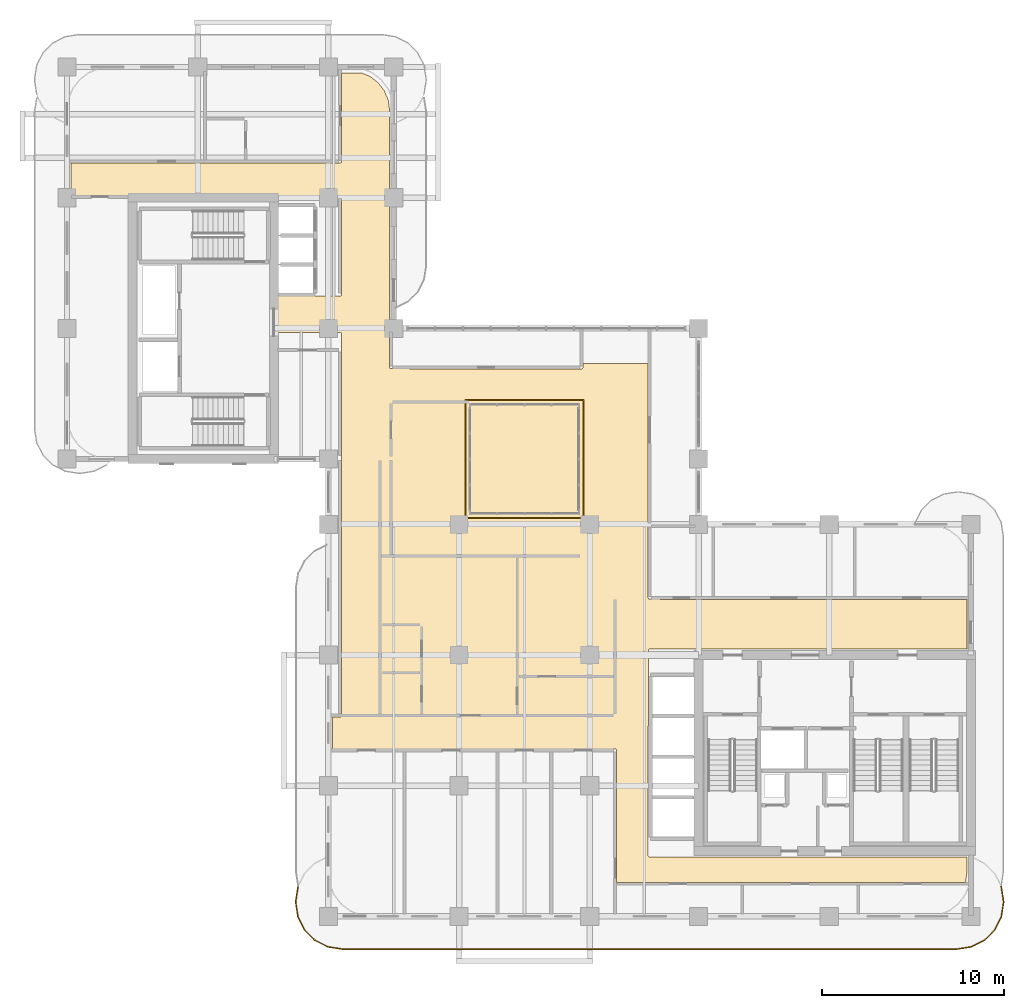
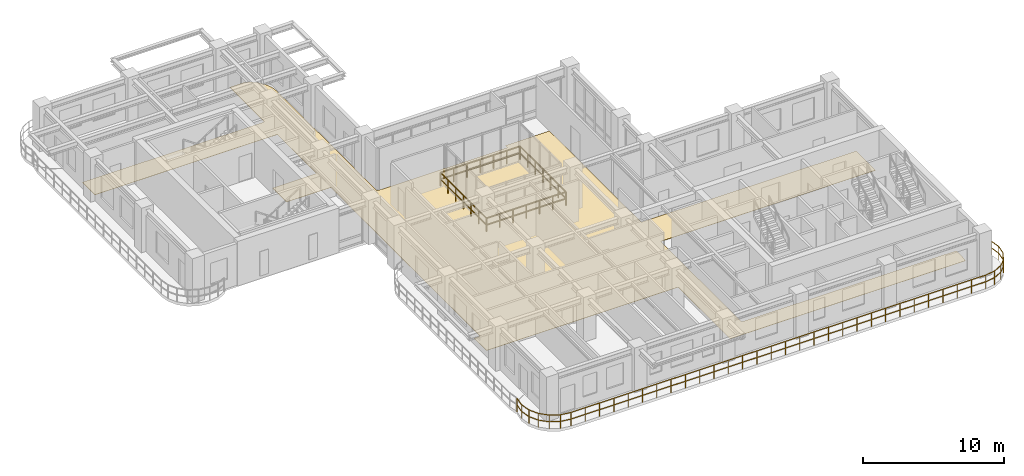
# One storey, part 18 of 21: 2 railings, 1 covering.
"""IFC4 building model written with IfcOpenShell, lengths in metres."""

from ifc_helpers import new_model, si_unit, derived_unit, direction, frame, origin, origin_2d, place, context, subcontext, project, spatial, polyline, rectangle, outline, extrude, material, layer, layer_set, type_object, element, save


model = new_model("IFC4")

# Units and contexts
model_context = context("Model", 3, precision=1e-05, world=origin(), true_north=direction((0.0, 1.0)))
body_context = subcontext(model_context, "Body", "Model", "MODEL_VIEW")
ifc_project = project(units=[si_unit("LENGTHUNIT", "METRE"), si_unit("AREAUNIT", "SQUARE_METRE"), si_unit("VOLUMEUNIT", "CUBIC_METRE"), si_unit("PLANEANGLEUNIT", "RADIAN"), si_unit("MASSUNIT", "GRAM", prefix="KILO"), si_unit("THERMODYNAMICTEMPERATUREUNIT", "KELVIN"), si_unit("POWERUNIT", "WATT"), derived_unit("THERMALTRANSMITTANCEUNIT", [(si_unit("POWERUNIT", "WATT"), 1), (si_unit("AREAUNIT", "SQUARE_METRE"), -1), (si_unit("THERMODYNAMICTEMPERATUREUNIT", "KELVIN"), -1)])], contexts=[model_context])

# Site, building, storey
site_placement = place(None, origin())
site = spatial("IfcSite", under=ifc_project, at=site_placement, CompositionType="ELEMENT")
building_placement = place(site_placement, origin())
building = spatial("IfcBuilding", under=site, at=building_placement, Name="Zahravan Archway Hotel and Residences", CompositionType="ELEMENT")
storey_placement = place(building_placement, frame((0.0, 0.0, 165.699951171875)))
storey = spatial("IfcBuildingStorey", under=building, at=storey_placement, Name="L41", CompositionType="ELEMENT", Elevation=165.699951171875)

# Covering
ifc_material_1 = material(Name="Engineered Walnut Parquet Flooring")
ifc_layer = layer(ifc_material_1, 0.02197265625, Name="Engineered Walnut Parquet Flooring")
ifc_layer_set = layer_set([ifc_layer], Name="Engineered Walnut Parquet Flooring")
covering_type = type_object("IfcCoveringType", Name="COV-FLR-TIMB", PredefinedType="FLOORING", material=ifc_layer_set)
covering_placement = place(storey_placement, origin())
element("IfcCovering", 1, at=covering_placement, inside=storey, type_object=covering_type, Name="L41 Circulation Floor Finish", PredefinedType="FLOORING", context=body_context, shape_type="SweptSolid", body=[
    extrude(outline(polyline([(32.021484375, 3.33447265625), (32.04345703125, 3.29345703125), (32.08447265625, 3.271484375), (49.580078125, 3.27001953125), (49.580078125, 2.414306640625), (49.509521484375, 1.8798828125), (30.280029296875, 1.8798828125), (30.280029296875, 9.14990234375), (30.2666015625, 9.1943359375), (30.230712890625, 9.223876953125), (14.6201171875, 9.22998046875), (14.6201171875, 10.989990234375), (15.050048828125, 10.989990234375), (15.094482421875, 11.00341796875), (15.123779296875, 11.039306640625), (15.1298828125, 32.10009765625), (15.116455078125, 32.144287109375), (15.08056640625, 32.173828125), (11.530029296875, 32.179931640625), (11.530029296875, 34.169921875), (15.050048828125, 34.169921875), (15.094482421875, 34.18359375), (15.123779296875, 34.219482421875), (15.1298828125, 39.64990234375), (15.116455078125, 39.6943359375), (15.08056640625, 39.723876953125), (0.22998046875, 39.72998046875), (0.22998046875, 41.52001953125), (15.050048828125, 41.52001953125), (15.094482421875, 41.533447265625), (15.123779296875, 41.5693359375), (15.1298828125, 46.469970703125), (16.24560546875, 46.469970703125), (16.689208984375, 46.286376953125), (17.14013671875, 45.940185546875), (17.486328125, 45.489013671875), (17.703857421875, 44.9638671875), (17.77001953125, 44.46142578125), (17.77001953125, 30.25), (17.783447265625, 30.20556640625), (17.8193359375, 30.176025390625), (28.35009765625, 30.169921875), (28.394287109375, 30.18359375), (28.423828125, 30.219482421875), (28.429931640625, 30.469970703125), (32.02001953125, 30.469970703125), (32.02001953125, 17.550048828125), (32.033447265625, 17.505615234375), (32.0693359375, 17.47607421875), (49.580078125, 17.469970703125), (49.580078125, 14.72998046875), (32.10009765625, 14.72998046875), (32.0556640625, 14.716552734375), (32.026123046875, 14.6806640625), (32.02001953125, 3.35009765625), (32.021484375, 3.33447265625)])), origin(), (0.0, 0.0, 1.0), 0.02197265625),
])

# Railings
ifc_material_2 = material(Name="Atrium Laminated Glass Guardrail", Category="glass")
railing_type_1 = type_object("IfcRailingType", Name="RL-ATR-1200", PredefinedType="BALUSTRADE", material=ifc_material_2)
railing_1_placement = place(storey_placement, frame((21.949951171875, 21.949951171875, 0.0)))
element("IfcRailing", 2, at=railing_1_placement, inside=storey, type_object=railing_type_1, Name="L41 Balustrade RL-ATR-L41", PredefinedType="BALUSTRADE", context=body_context, shape_type="SweptSolid", body=[
    extrude(rectangle(XDim=0.048095703125, YDim=0.048095703125, at=origin_2d()), frame((0.0, 0.0, 1.17578125), z_axis=(1.0, 0.0, 0.0), x_axis=(0.0, 1.0, 0.0)), (0.0, 0.0, 1.0), 6.5),
    extrude(rectangle(XDim=0.048095703125, YDim=0.048095703125, at=origin_2d()), frame((0.0, 0.0, 0.60009765625), z_axis=(1.0, 0.0, 0.0), x_axis=(0.0, 1.0, 0.0)), (0.0, 0.0, 1.0), 6.5),
    extrude(rectangle(XDim=0.048095703125, YDim=0.048095703125, at=origin_2d()), frame((6.5, 0.0, 1.17578125), z_axis=(0.0, 1.0, 0.0), x_axis=(-1.0, 0.0, 0.0)), (0.0, 0.0, 1.0), 6.5),
    extrude(rectangle(XDim=0.048095703125, YDim=0.048095703125, at=origin_2d()), frame((6.5, 0.0, 0.60009765625), z_axis=(0.0, 1.0, 0.0), x_axis=(-1.0, 0.0, 0.0)), (0.0, 0.0, 1.0), 6.5),
    extrude(rectangle(XDim=0.048095703125, YDim=0.048095703125, at=origin_2d()), frame((6.5, 6.5, 1.17578125), z_axis=(-1.0, 0.0, 0.0), x_axis=(0.0, -1.0, 0.0)), (0.0, 0.0, 1.0), 6.5),
    extrude(rectangle(XDim=0.048095703125, YDim=0.048095703125, at=origin_2d()), frame((6.5, 6.5, 0.60009765625), z_axis=(-1.0, 0.0, 0.0), x_axis=(0.0, -1.0, 0.0)), (0.0, 0.0, 1.0), 6.5),
    extrude(rectangle(XDim=0.048095703125, YDim=0.048095703125, at=origin_2d()), frame((0.0, 6.5, 1.17578125), z_axis=(0.0, -1.0, 0.0), x_axis=(1.0, 0.0, 0.0)), (0.0, 0.0, 1.0), 6.5),
    extrude(rectangle(XDim=0.048095703125, YDim=0.048095703125, at=origin_2d()), frame((0.0, 6.5, 0.60009765625), z_axis=(0.0, -1.0, 0.0), x_axis=(1.0, 0.0, 0.0)), (0.0, 0.0, 1.0), 6.5),
    extrude(rectangle(XDim=0.0419921875, YDim=0.0419921875, at=origin_2d()), origin(), (0.0, 0.0, 1.0), 1.15185546875),
    extrude(rectangle(XDim=0.0419921875, YDim=0.0419921875, at=origin_2d()), frame((1.083251953125, 0.0, 0.0)), (0.0, 0.0, 1.0), 1.15185546875),
    extrude(rectangle(XDim=0.0419921875, YDim=0.0419921875, at=origin_2d()), frame((2.166748046875, 0.0, 0.0)), (0.0, 0.0, 1.0), 1.15185546875),
    extrude(rectangle(XDim=0.0419921875, YDim=0.0419921875, at=origin_2d()), frame((3.25, 0.0, 0.0)), (0.0, 0.0, 1.0), 1.15185546875),
    extrude(rectangle(XDim=0.0419921875, YDim=0.0419921875, at=origin_2d()), frame((4.333251953125, 0.0, 0.0)), (0.0, 0.0, 1.0), 1.15185546875),
    extrude(rectangle(XDim=0.0419921875, YDim=0.0419921875, at=origin_2d()), frame((5.416748046875, 0.0, 0.0)), (0.0, 0.0, 1.0), 1.15185546875),
    extrude(rectangle(XDim=0.0419921875, YDim=0.0419921875, at=origin_2d()), frame((6.5, 0.0, 0.0)), (0.0, 0.0, 1.0), 1.15185546875),
    extrude(rectangle(XDim=0.0419921875, YDim=0.0419921875, at=origin_2d()), frame((6.5, 1.083251953125, 0.0)), (0.0, 0.0, 1.0), 1.15185546875),
    extrude(rectangle(XDim=0.0419921875, YDim=0.0419921875, at=origin_2d()), frame((6.5, 2.166748046875, 0.0)), (0.0, 0.0, 1.0), 1.15185546875),
    extrude(rectangle(XDim=0.0419921875, YDim=0.0419921875, at=origin_2d()), frame((6.5, 3.25, 0.0)), (0.0, 0.0, 1.0), 1.15185546875),
    extrude(rectangle(XDim=0.0419921875, YDim=0.0419921875, at=origin_2d()), frame((6.5, 4.333251953125, 0.0)), (0.0, 0.0, 1.0), 1.15185546875),
    extrude(rectangle(XDim=0.0419921875, YDim=0.0419921875, at=origin_2d()), frame((6.5, 5.416748046875, 0.0)), (0.0, 0.0, 1.0), 1.15185546875),
    extrude(rectangle(XDim=0.0419921875, YDim=0.0419921875, at=origin_2d()), frame((6.5, 6.5, 0.0)), (0.0, 0.0, 1.0), 1.15185546875),
    extrude(rectangle(XDim=0.0419921875, YDim=0.0419921875, at=origin_2d()), frame((5.416748046875, 6.5, 0.0)), (0.0, 0.0, 1.0), 1.15185546875),
    extrude(rectangle(XDim=0.0419921875, YDim=0.0419921875, at=origin_2d()), frame((4.333251953125, 6.5, 0.0)), (0.0, 0.0, 1.0), 1.15185546875),
    extrude(rectangle(XDim=0.0419921875, YDim=0.0419921875, at=origin_2d()), frame((3.25, 6.5, 0.0)), (0.0, 0.0, 1.0), 1.15185546875),
    extrude(rectangle(XDim=0.0419921875, YDim=0.0419921875, at=origin_2d()), frame((2.166748046875, 6.5, 0.0)), (0.0, 0.0, 1.0), 1.15185546875),
    extrude(rectangle(XDim=0.0419921875, YDim=0.0419921875, at=origin_2d()), frame((1.083251953125, 6.5, 0.0)), (0.0, 0.0, 1.0), 1.15185546875),
    extrude(rectangle(XDim=0.0419921875, YDim=0.0419921875, at=origin_2d()), frame((0.0, 6.5, 0.0)), (0.0, 0.0, 1.0), 1.15185546875),
    extrude(rectangle(XDim=0.0419921875, YDim=0.0419921875, at=origin_2d()), frame((0.0, 5.416748046875, 0.0)), (0.0, 0.0, 1.0), 1.15185546875),
    extrude(rectangle(XDim=0.0419921875, YDim=0.0419921875, at=origin_2d()), frame((0.0, 4.333251953125, 0.0)), (0.0, 0.0, 1.0), 1.15185546875),
    extrude(rectangle(XDim=0.0419921875, YDim=0.0419921875, at=origin_2d()), frame((0.0, 3.25, 0.0)), (0.0, 0.0, 1.0), 1.15185546875),
    extrude(rectangle(XDim=0.0419921875, YDim=0.0419921875, at=origin_2d()), frame((0.0, 2.166748046875, 0.0)), (0.0, 0.0, 1.0), 1.15185546875),
    extrude(rectangle(XDim=0.0419921875, YDim=0.0419921875, at=origin_2d()), frame((0.0, 1.083251953125, 0.0)), (0.0, 0.0, 1.0), 1.15185546875),
])
ifc_material_3 = material(Name="Bronze & Laminated Glass Balustrade", Category="glass")
railing_type_2 = type_object("IfcRailingType", Name="RL-BAL-1200", PredefinedType="BALUSTRADE", material=ifc_material_3)
railing_2_placement = place(storey_placement, frame((51.47509765625, 1.637939453125, 0.0)))
element("IfcRailing", 3, at=railing_2_placement, inside=storey, type_object=railing_type_2, Name="L41 Balustrade RL-SLB-BAL-L41-SA-1", PredefinedType="BALUSTRADE", context=body_context, shape_type="SweptSolid", body=[
    extrude(rectangle(XDim=0.048095703125, YDim=0.048095703125, at=origin_2d()), frame((0.0, 0.0, 1.17578125), z_axis=(0.156701202656, -0.987646056584, 0.0), x_axis=(0.987646056584, 0.156701202656, 0.0)), (0.0, 0.0, 1.0), 0.797607421875),
    extrude(rectangle(XDim=0.048095703125, YDim=0.048095703125, at=origin_2d()), frame((0.0, 0.0, 0.60009765625), z_axis=(0.156701202656, -0.987646056584, 0.0), x_axis=(0.987646056584, 0.156701202656, 0.0)), (0.0, 0.0, 1.0), 0.797607421875),
    extrude(rectangle(XDim=0.048095703125, YDim=0.048095703125, at=origin_2d()), frame((0.125, -0.787841796875, 1.17578125), z_axis=(0.0, -1.0, 0.0), x_axis=(1.0, 0.0, 0.0)), (0.0, 0.0, 1.0), 0.10009765625),
    extrude(rectangle(XDim=0.048095703125, YDim=0.048095703125, at=origin_2d()), frame((0.125, -0.787841796875, 0.60009765625), z_axis=(0.0, -1.0, 0.0), x_axis=(1.0, 0.0, 0.0)), (0.0, 0.0, 1.0), 0.10009765625),
    extrude(rectangle(XDim=0.048095703125, YDim=0.048095703125, at=origin_2d()), frame((0.125, -0.887939453125, 1.17578125), z_axis=(-0.156653849773, -0.98765356849, 0.0), x_axis=(0.98765356849, -0.156653849773, 0.0)), (0.0, 0.0, 1.0), 0.7978515625),
    extrude(rectangle(XDim=0.048095703125, YDim=0.048095703125, at=origin_2d()), frame((0.125, -0.887939453125, 0.60009765625), z_axis=(-0.156653849773, -0.98765356849, 0.0), x_axis=(0.98765356849, -0.156653849773, 0.0)), (0.0, 0.0, 1.0), 0.7978515625),
    extrude(rectangle(XDim=0.048095703125, YDim=0.048095703125, at=origin_2d()), frame((0.0, -1.676025390625, 1.17578125), z_axis=(-0.453934952053, -0.891034824967, 0.0), x_axis=(0.891034824967, -0.453934952053, 0.0)), (0.0, 0.0, 1.0), 0.797607421875),
    extrude(rectangle(XDim=0.048095703125, YDim=0.048095703125, at=origin_2d()), frame((0.0, -1.676025390625, 0.60009765625), z_axis=(-0.453934952053, -0.891034824967, 0.0), x_axis=(0.891034824967, -0.453934952053, 0.0)), (0.0, 0.0, 1.0), 0.797607421875),
    extrude(rectangle(XDim=0.048095703125, YDim=0.048095703125, at=origin_2d()), frame((-0.362060546875, -2.38671875, 1.17578125), z_axis=(-0.707106781187, -0.707106781187, 0.0), x_axis=(0.707106781187, -0.707106781187, 0.0)), (0.0, 0.0, 1.0), 0.7978515625),
    extrude(rectangle(XDim=0.048095703125, YDim=0.048095703125, at=origin_2d()), frame((-0.362060546875, -2.38671875, 0.60009765625), z_axis=(-0.707106781187, -0.707106781187, 0.0), x_axis=(0.707106781187, -0.707106781187, 0.0)), (0.0, 0.0, 1.0), 0.7978515625),
    extrude(rectangle(XDim=0.048095703125, YDim=0.048095703125, at=origin_2d()), frame((-0.92626953125, -2.950927734375, 1.17578125), z_axis=(-0.890974108706, -0.454054113091, 0.0), x_axis=(0.454054113091, -0.890974108706, 0.0)), (0.0, 0.0, 1.0), 0.7978515625),
    extrude(rectangle(XDim=0.048095703125, YDim=0.048095703125, at=origin_2d()), frame((-0.92626953125, -2.950927734375, 0.60009765625), z_axis=(-0.890974108706, -0.454054113091, 0.0), x_axis=(0.454054113091, -0.890974108706, 0.0)), (0.0, 0.0, 1.0), 0.7978515625),
    extrude(rectangle(XDim=0.048095703125, YDim=0.048095703125, at=origin_2d()), frame((-1.63720703125, -3.313232421875, 1.17578125), z_axis=(-0.987693380745, -0.156402639467, 0.0), x_axis=(0.156402639467, -0.987693380745, 0.0)), (0.0, 0.0, 1.0), 0.797607421875),
    extrude(rectangle(XDim=0.048095703125, YDim=0.048095703125, at=origin_2d()), frame((-1.63720703125, -3.313232421875, 0.60009765625), z_axis=(-0.987693380745, -0.156402639467, 0.0), x_axis=(0.156402639467, -0.987693380745, 0.0)), (0.0, 0.0, 1.0), 0.797607421875),
    extrude(rectangle(XDim=0.048095703125, YDim=0.048095703125, at=origin_2d()), frame((-2.425048828125, -3.43798828125, 1.17578125), z_axis=(-1.0, 0.0, 0.0), x_axis=(0.0, -1.0, 0.0)), (0.0, 0.0, 1.0), 33.900146484375),
    extrude(rectangle(XDim=0.048095703125, YDim=0.048095703125, at=origin_2d()), frame((-2.425048828125, -3.43798828125, 0.60009765625), z_axis=(-1.0, 0.0, 0.0), x_axis=(0.0, -1.0, 0.0)), (0.0, 0.0, 1.0), 33.900146484375),
    extrude(rectangle(XDim=0.048095703125, YDim=0.048095703125, at=origin_2d()), frame((-36.3251953125, -3.43798828125, 1.17578125), z_axis=(-0.987693380745, 0.156402639467, 0.0), x_axis=(-0.156402639467, -0.987693380745, 0.0)), (0.0, 0.0, 1.0), 0.797607421875),
    extrude(rectangle(XDim=0.048095703125, YDim=0.048095703125, at=origin_2d()), frame((-36.3251953125, -3.43798828125, 0.60009765625), z_axis=(-0.987693380745, 0.156402639467, 0.0), x_axis=(-0.156402639467, -0.987693380745, 0.0)), (0.0, 0.0, 1.0), 0.797607421875),
    extrude(rectangle(XDim=0.048095703125, YDim=0.048095703125, at=origin_2d()), frame((-37.113037109375, -3.313232421875, 1.17578125), z_axis=(-0.890974108706, 0.454054113091, 0.0), x_axis=(-0.454054113091, -0.890974108706, 0.0)), (0.0, 0.0, 1.0), 0.7978515625),
    extrude(rectangle(XDim=0.048095703125, YDim=0.048095703125, at=origin_2d()), frame((-37.113037109375, -3.313232421875, 0.60009765625), z_axis=(-0.890974108706, 0.454054113091, 0.0), x_axis=(-0.454054113091, -0.890974108706, 0.0)), (0.0, 0.0, 1.0), 0.7978515625),
    extrude(rectangle(XDim=0.048095703125, YDim=0.048095703125, at=origin_2d()), frame((-37.823974609375, -2.950927734375, 1.17578125), z_axis=(-0.707106781187, 0.707106781187, 0.0), x_axis=(-0.707106781187, -0.707106781187, 0.0)), (0.0, 0.0, 1.0), 0.7978515625),
    extrude(rectangle(XDim=0.048095703125, YDim=0.048095703125, at=origin_2d()), frame((-37.823974609375, -2.950927734375, 0.60009765625), z_axis=(-0.707106781187, 0.707106781187, 0.0), x_axis=(-0.707106781187, -0.707106781187, 0.0)), (0.0, 0.0, 1.0), 0.7978515625),
    extrude(rectangle(XDim=0.048095703125, YDim=0.048095703125, at=origin_2d()), frame((-38.38818359375, -2.38671875, 1.17578125), z_axis=(-0.453934952053, 0.891034824967, 0.0), x_axis=(-0.891034824967, -0.453934952053, 0.0)), (0.0, 0.0, 1.0), 0.797607421875),
    extrude(rectangle(XDim=0.048095703125, YDim=0.048095703125, at=origin_2d()), frame((-38.38818359375, -2.38671875, 0.60009765625), z_axis=(-0.453934952053, 0.891034824967, 0.0), x_axis=(-0.891034824967, -0.453934952053, 0.0)), (0.0, 0.0, 1.0), 0.797607421875),
    extrude(rectangle(XDim=0.048095703125, YDim=0.048095703125, at=origin_2d()), frame((-38.750244140625, -1.676025390625, 1.17578125), z_axis=(-0.156355372278, 0.987700864412, 0.0), x_axis=(-0.987700864412, -0.156355372278, 0.0)), (0.0, 0.0, 1.0), 0.7978515625),
    extrude(rectangle(XDim=0.048095703125, YDim=0.048095703125, at=origin_2d()), frame((-38.750244140625, -1.676025390625, 0.60009765625), z_axis=(-0.156355372278, 0.987700864412, 0.0), x_axis=(-0.987700864412, -0.156355372278, 0.0)), (0.0, 0.0, 1.0), 0.7978515625),
    extrude(rectangle(XDim=0.048095703125, YDim=0.048095703125, at=origin_2d()), frame((-38.875, -0.887939453125, 1.17578125), z_axis=(0.0, 1.0, 0.0), x_axis=(-1.0, 0.0, 0.0)), (0.0, 0.0, 1.0), 0.10009765625),
    extrude(rectangle(XDim=0.048095703125, YDim=0.048095703125, at=origin_2d()), frame((-38.875, -0.887939453125, 0.60009765625), z_axis=(0.0, 1.0, 0.0), x_axis=(-1.0, 0.0, 0.0)), (0.0, 0.0, 1.0), 0.10009765625),
    extrude(rectangle(XDim=0.048095703125, YDim=0.048095703125, at=origin_2d()), frame((-38.875, -0.787841796875, 1.17578125), z_axis=(0.156402639467, 0.987693380745, 0.0), x_axis=(-0.987693380745, 0.156402639467, 0.0)), (0.0, 0.0, 1.0), 0.797607421875),
    extrude(rectangle(XDim=0.048095703125, YDim=0.048095703125, at=origin_2d()), frame((-38.875, -0.787841796875, 0.60009765625), z_axis=(0.156402639467, 0.987693380745, 0.0), x_axis=(-0.987693380745, 0.156402639467, 0.0)), (0.0, 0.0, 1.0), 0.797607421875),
    extrude(rectangle(XDim=0.0419921875, YDim=0.0419921875, at=origin_2d()), origin(), (0.0, 0.0, 1.0), 1.15185546875),
    extrude(rectangle(XDim=0.0419921875, YDim=0.0419921875, at=origin_2d()), frame((0.125, -0.787841796875, 0.0)), (0.0, 0.0, 1.0), 1.15185546875),
    extrude(rectangle(XDim=0.0419921875, YDim=0.0419921875, at=origin_2d()), frame((0.0, -1.676025390625, 0.0)), (0.0, 0.0, 1.0), 1.15185546875),
    extrude(rectangle(XDim=0.0419921875, YDim=0.0419921875, at=origin_2d()), frame((-0.362060546875, -2.38671875, 0.0)), (0.0, 0.0, 1.0), 1.15185546875),
    extrude(rectangle(XDim=0.0419921875, YDim=0.0419921875, at=origin_2d()), frame((-0.92626953125, -2.950927734375, 0.0)), (0.0, 0.0, 1.0), 1.15185546875),
    extrude(rectangle(XDim=0.0419921875, YDim=0.0419921875, at=origin_2d()), frame((-1.63720703125, -3.313232421875, 0.0)), (0.0, 0.0, 1.0), 1.15185546875),
    extrude(rectangle(XDim=0.0419921875, YDim=0.0419921875, at=origin_2d()), frame((-2.425048828125, -3.43798828125, 0.0)), (0.0, 0.0, 1.0), 1.15185546875),
    extrude(rectangle(XDim=0.0419921875, YDim=0.0419921875, at=origin_2d()), frame((-3.593994140625, -3.43798828125, 0.0)), (0.0, 0.0, 1.0), 1.15185546875),
    extrude(rectangle(XDim=0.0419921875, YDim=0.0419921875, at=origin_2d()), frame((-4.762939453125, -3.43798828125, 0.0)), (0.0, 0.0, 1.0), 1.15185546875),
    extrude(rectangle(XDim=0.0419921875, YDim=0.0419921875, at=origin_2d()), frame((-5.931884765625, -3.43798828125, 0.0)), (0.0, 0.0, 1.0), 1.15185546875),
    extrude(rectangle(XDim=0.0419921875, YDim=0.0419921875, at=origin_2d()), frame((-7.100830078125, -3.43798828125, 0.0)), (0.0, 0.0, 1.0), 1.15185546875),
    extrude(rectangle(XDim=0.0419921875, YDim=0.0419921875, at=origin_2d()), frame((-8.27001953125, -3.43798828125, 0.0)), (0.0, 0.0, 1.0), 1.15185546875),
    extrude(rectangle(XDim=0.0419921875, YDim=0.0419921875, at=origin_2d()), frame((-9.43896484375, -3.43798828125, 0.0)), (0.0, 0.0, 1.0), 1.15185546875),
    extrude(rectangle(XDim=0.0419921875, YDim=0.0419921875, at=origin_2d()), frame((-10.60791015625, -3.43798828125, 0.0)), (0.0, 0.0, 1.0), 1.15185546875),
    extrude(rectangle(XDim=0.0419921875, YDim=0.0419921875, at=origin_2d()), frame((-11.77685546875, -3.43798828125, 0.0)), (0.0, 0.0, 1.0), 1.15185546875),
    extrude(rectangle(XDim=0.0419921875, YDim=0.0419921875, at=origin_2d()), frame((-12.94580078125, -3.43798828125, 0.0)), (0.0, 0.0, 1.0), 1.15185546875),
    extrude(rectangle(XDim=0.0419921875, YDim=0.0419921875, at=origin_2d()), frame((-14.11474609375, -3.43798828125, 0.0)), (0.0, 0.0, 1.0), 1.15185546875),
    extrude(rectangle(XDim=0.0419921875, YDim=0.0419921875, at=origin_2d()), frame((-15.28369140625, -3.43798828125, 0.0)), (0.0, 0.0, 1.0), 1.15185546875),
    extrude(rectangle(XDim=0.0419921875, YDim=0.0419921875, at=origin_2d()), frame((-16.45263671875, -3.43798828125, 0.0)), (0.0, 0.0, 1.0), 1.15185546875),
    extrude(rectangle(XDim=0.0419921875, YDim=0.0419921875, at=origin_2d()), frame((-17.62158203125, -3.43798828125, 0.0)), (0.0, 0.0, 1.0), 1.15185546875),
    extrude(rectangle(XDim=0.0419921875, YDim=0.0419921875, at=origin_2d()), frame((-18.79052734375, -3.43798828125, 0.0)), (0.0, 0.0, 1.0), 1.15185546875),
    extrude(rectangle(XDim=0.0419921875, YDim=0.0419921875, at=origin_2d()), frame((-19.959716796875, -3.43798828125, 0.0)), (0.0, 0.0, 1.0), 1.15185546875),
    extrude(rectangle(XDim=0.0419921875, YDim=0.0419921875, at=origin_2d()), frame((-21.128662109375, -3.43798828125, 0.0)), (0.0, 0.0, 1.0), 1.15185546875),
    extrude(rectangle(XDim=0.0419921875, YDim=0.0419921875, at=origin_2d()), frame((-22.297607421875, -3.43798828125, 0.0)), (0.0, 0.0, 1.0), 1.15185546875),
    extrude(rectangle(XDim=0.0419921875, YDim=0.0419921875, at=origin_2d()), frame((-23.466552734375, -3.43798828125, 0.0)), (0.0, 0.0, 1.0), 1.15185546875),
    extrude(rectangle(XDim=0.0419921875, YDim=0.0419921875, at=origin_2d()), frame((-24.635498046875, -3.43798828125, 0.0)), (0.0, 0.0, 1.0), 1.15185546875),
    extrude(rectangle(XDim=0.0419921875, YDim=0.0419921875, at=origin_2d()), frame((-25.804443359375, -3.43798828125, 0.0)), (0.0, 0.0, 1.0), 1.15185546875),
    extrude(rectangle(XDim=0.0419921875, YDim=0.0419921875, at=origin_2d()), frame((-26.973388671875, -3.43798828125, 0.0)), (0.0, 0.0, 1.0), 1.15185546875),
    extrude(rectangle(XDim=0.0419921875, YDim=0.0419921875, at=origin_2d()), frame((-28.142333984375, -3.43798828125, 0.0)), (0.0, 0.0, 1.0), 1.15185546875),
    extrude(rectangle(XDim=0.0419921875, YDim=0.0419921875, at=origin_2d()), frame((-29.311279296875, -3.43798828125, 0.0)), (0.0, 0.0, 1.0), 1.15185546875),
    extrude(rectangle(XDim=0.0419921875, YDim=0.0419921875, at=origin_2d()), frame((-30.480224609375, -3.43798828125, 0.0)), (0.0, 0.0, 1.0), 1.15185546875),
    extrude(rectangle(XDim=0.0419921875, YDim=0.0419921875, at=origin_2d()), frame((-31.6494140625, -3.43798828125, 0.0)), (0.0, 0.0, 1.0), 1.15185546875),
    extrude(rectangle(XDim=0.0419921875, YDim=0.0419921875, at=origin_2d()), frame((-32.818359375, -3.43798828125, 0.0)), (0.0, 0.0, 1.0), 1.15185546875),
    extrude(rectangle(XDim=0.0419921875, YDim=0.0419921875, at=origin_2d()), frame((-33.9873046875, -3.43798828125, 0.0)), (0.0, 0.0, 1.0), 1.15185546875),
    extrude(rectangle(XDim=0.0419921875, YDim=0.0419921875, at=origin_2d()), frame((-35.15625, -3.43798828125, 0.0)), (0.0, 0.0, 1.0), 1.15185546875),
    extrude(rectangle(XDim=0.0419921875, YDim=0.0419921875, at=origin_2d()), frame((-36.3251953125, -3.43798828125, 0.0)), (0.0, 0.0, 1.0), 1.15185546875),
    extrude(rectangle(XDim=0.0419921875, YDim=0.0419921875, at=origin_2d()), frame((-37.113037109375, -3.313232421875, 0.0)), (0.0, 0.0, 1.0), 1.15185546875),
    extrude(rectangle(XDim=0.0419921875, YDim=0.0419921875, at=origin_2d()), frame((-37.823974609375, -2.950927734375, 0.0)), (0.0, 0.0, 1.0), 1.15185546875),
    extrude(rectangle(XDim=0.0419921875, YDim=0.0419921875, at=origin_2d()), frame((-38.38818359375, -2.38671875, 0.0)), (0.0, 0.0, 1.0), 1.15185546875),
    extrude(rectangle(XDim=0.0419921875, YDim=0.0419921875, at=origin_2d()), frame((-38.750244140625, -1.676025390625, 0.0)), (0.0, 0.0, 1.0), 1.15185546875),
    extrude(rectangle(XDim=0.0419921875, YDim=0.0419921875, at=origin_2d()), frame((-38.875, -0.887939453125, 0.0)), (0.0, 0.0, 1.0), 1.15185546875),
    extrude(rectangle(XDim=0.0419921875, YDim=0.0419921875, at=origin_2d()), frame((-38.750244140625, 0.0, 0.0)), (0.0, 0.0, 1.0), 1.15185546875),
])

save(model, "model.ifc")
